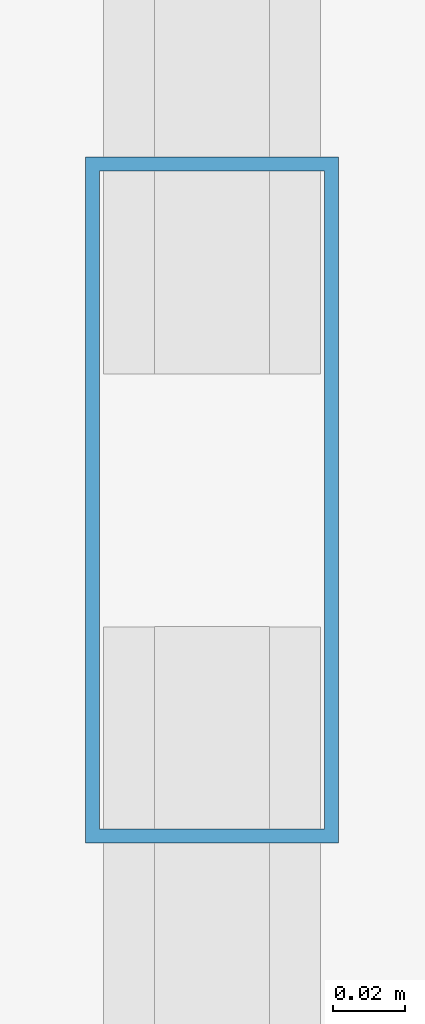
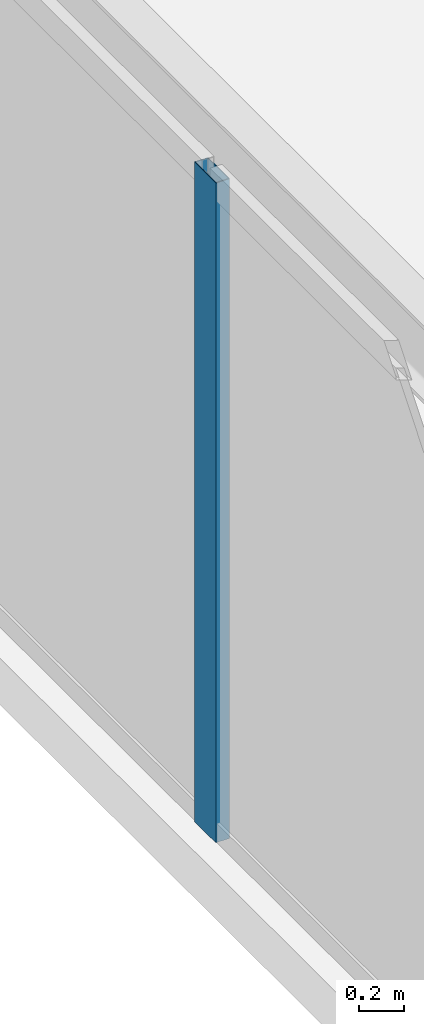
# One storey, part 6 of 32: 1 member, 1 element without a shape of its own.
"""IFC4 building model written with IfcOpenShell, lengths in metres."""

from ifc_helpers import new_model, si_unit, direction, frame, origin, origin_2d, place, context, subcontext, project, spatial, hollow_rectangle, extrude, source, transform, mapped, material, layer, layer_set, material_profile, profile_set, type_object, type_shapes, element, aggregate, save


model = new_model("IFC4")

# Units and contexts
model_context = context("Model", 3, precision=1e-05, world=origin(), true_north=direction((0.0, 1.0)))
body_context = subcontext(model_context, "Body", "Model", "MODEL_VIEW")
ifc_project = project(units=[si_unit("LENGTHUNIT", "METRE"), si_unit("AREAUNIT", "SQUARE_METRE"), si_unit("VOLUMEUNIT", "CUBIC_METRE"), si_unit("PLANEANGLEUNIT", "RADIAN"), si_unit("MASSUNIT", "GRAM", prefix="KILO")], contexts=[model_context])

# Site, building, storey
site_placement = place(None, origin())
site = spatial("IfcSite", under=ifc_project, at=site_placement, CompositionType="ELEMENT")
building_placement = place(site_placement, origin())
building = spatial("IfcBuilding", under=site, at=building_placement, Name="Varnel Quay Broadcast Tower", CompositionType="ELEMENT")
storey_placement = place(building_placement, frame((0.0, 0.0, 90.800048828125)))
storey = spatial("IfcBuildingStorey", under=building, at=storey_placement, Name="L21", CompositionType="ELEMENT", Elevation=90.800048828125)

# Curtain wall, member
ifc_material = material(Name="Anodised Bronze Aluminium 6063-T6", Category="aluminium")
ifc_layer = layer(ifc_material, 0.18994140625, Name="Anodised Bronze Aluminium 6063-T6")
ifc_layer_set = layer_set([ifc_layer], Name="Anodised Bronze Aluminium 6063-T6")
curtain_wall_type = type_object("IfcCurtainWallType", Name="CW_LowerTower", PredefinedType="NOTDEFINED", material=ifc_layer_set)
curtain_wall_placement = place(storey_placement, origin())
curtain_wall = element("IfcCurtainWall", 1, at=curtain_wall_placement, inside=storey, type_object=curtain_wall_type, Name="L21 West Unitised Curtain Wall", PredefinedType="NOTDEFINED")
ifc_material_profile = material_profile(ifc_material, hollow_rectangle(XDim=0.070068359375, YDim=0.18994140625, WallThickness=0.00390625, at=origin_2d()), Name="ALU70X190X4")
ifc_profile_set = profile_set([ifc_material_profile], Name="Anodised Bronze Aluminium 6063-T6")
member_type = type_object("IfcMemberType", Name="Mull_CWS-02", PredefinedType="MULLION", material=ifc_profile_set)
shared_shape = source(origin(), body_context, "Body", "SweptSolid", [
    extrude(hollow_rectangle(XDim=0.070068359375, YDim=0.18994140625, WallThickness=0.00390625, at=origin_2d()), origin(), (0.0, 0.0, 1.0), 3.550048828125),
])
type_shapes(member_type, [shared_shape])
member_placement = place(storey_placement, frame((4.64990234375, 19.60009765625, 0.0), z_axis=(0.0, 0.0, 1.0), x_axis=(-1.0, 0.0, 0.0)))
member = element("IfcMember", 2, at=member_placement, type_object=member_type, Name="CWS-02 mullion 2", PredefinedType="MULLION", context=body_context, shape_type="MappedRepresentation", body=[
    mapped(shared_shape, transform((0.0, 0.0, 0.0), x_axis=(1.0, 0.0, 0.0), y_axis=(0.0, 1.0, 0.0), z_axis=(0.0, 0.0, 1.0), scale=1.0)),
])
aggregate(curtain_wall, [member])

save(model, "model.ifc")
